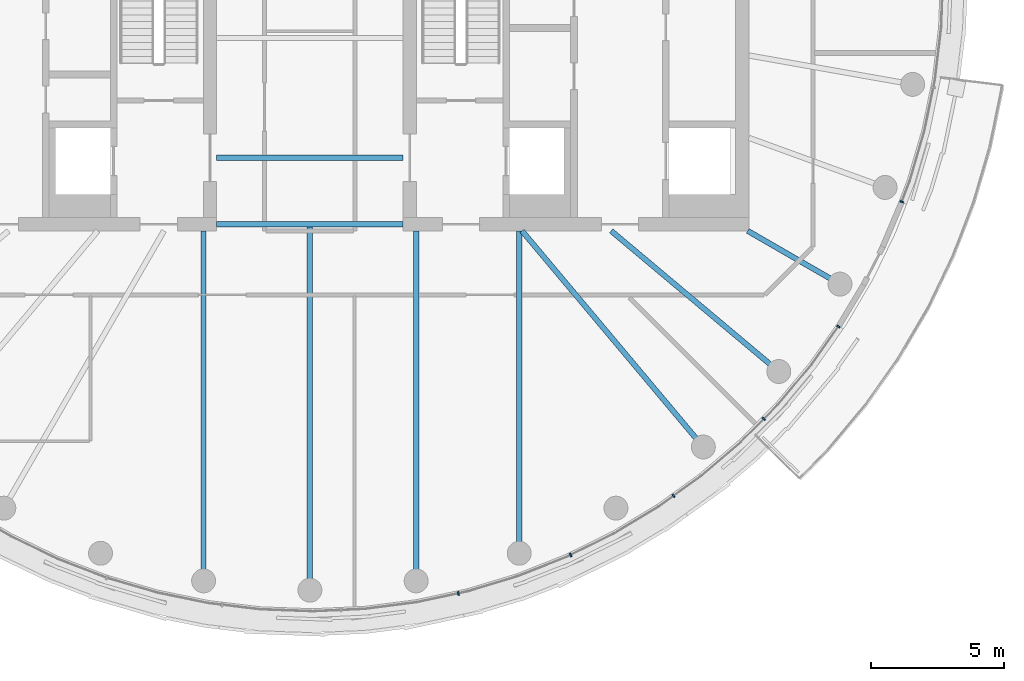
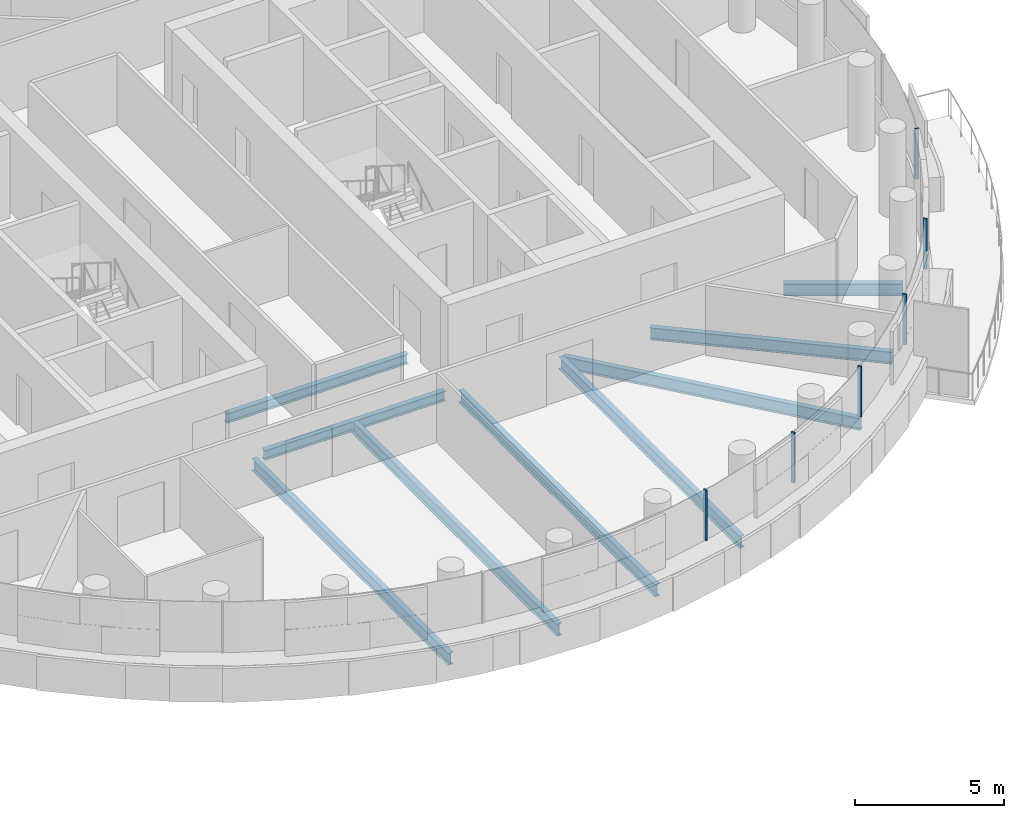
# One storey, part 7 of 27: 9 beams, 6 members, 1 element without a shape of its own.
"""IFC4 building model written with IfcOpenShell, lengths in metres."""

from ifc_helpers import new_model, si_unit, direction, frame, origin, origin_2d, place, context, subcontext, project, spatial, rectangle, i_section, extrude, material, layer, layer_set, material_profile, profile_set, type_object, element, aggregate, save


model = new_model("IFC4")

# Units and contexts
model_context = context("Model", 3, precision=1e-05, world=origin(), true_north=direction((0.0, 1.0)))
body_context = subcontext(model_context, "Body", "Model", "MODEL_VIEW")
ifc_project = project(units=[si_unit("LENGTHUNIT", "METRE"), si_unit("AREAUNIT", "SQUARE_METRE"), si_unit("VOLUMEUNIT", "CUBIC_METRE"), si_unit("PLANEANGLEUNIT", "RADIAN"), si_unit("MASSUNIT", "GRAM", prefix="KILO")], contexts=[model_context])

# Site, building, storey
site_placement = place(None, origin())
site = spatial("IfcSite", under=ifc_project, at=site_placement, CompositionType="ELEMENT")
building_placement = place(site_placement, origin())
building = spatial("IfcBuilding", under=site, at=building_placement, Name="Tamarind Cross Interchange Tower", CompositionType="ELEMENT")
storey_placement = place(building_placement, frame((0.0, 0.0, 237.89990234375)))
storey = spatial("IfcBuildingStorey", under=building, at=storey_placement, Name="L60", CompositionType="ELEMENT", Elevation=237.89990234375)

# Beams
ifc_material_1 = material(Name="Steel Q355B", Category="steel")
ifc_material_profile_1 = material_profile(ifc_material_1, i_section(OverallWidth=0.199951171875, OverallDepth=0.39990234375, WebThickness=0.008056640625, FlangeThickness=0.012939453125, FilletRadius=0.01611328125, at=origin_2d()), Name="HN 400x200x8x13")
ifc_profile_set_1 = profile_set([ifc_material_profile_1], Name="Steel Q355B")
beam_type_1 = type_object("IfcBeamType", Name="Composite beam HN 400x200x8x13 Q355B", PredefinedType="BEAM", material=ifc_profile_set_1)
for number, where, z_axis, x_axis, name in (
    (1, (-3.5, -6.75, -0.33984375), (1.0, 0.0, 0.0), (0.0, 1.0, 0.0), "Beam G-6.75"),
    (2, (-3.5, -9.25, -0.33984375), (1.0, 0.0, 0.0), (0.0, 1.0, 0.0), "Beam G-9.25"),
):
    element("IfcBeam", number, at=place(storey_placement, frame(where, z_axis=z_axis, x_axis=x_axis)), inside=storey, type_object=beam_type_1, Name=name, PredefinedType="BEAM", context=body_context, shape_type="SweptSolid", body=[
        extrude(i_section(OverallWidth=0.199951171875, OverallDepth=0.39990234375, WebThickness=0.008056640625, FlangeThickness=0.012939453125, FilletRadius=0.01611328125, at=origin_2d()), origin(), (0.0, 0.0, 1.0), 7.0),
    ])
ifc_material_profile_2 = material_profile(ifc_material_1, i_section(OverallWidth=0.198974609375, OverallDepth=0.49609375, WebThickness=0.009033203125, FlangeThickness=0.013916015625, FilletRadius=0.012939453125, at=origin_2d()), Name="HN 496x199x9x14")
ifc_profile_set_2 = profile_set([ifc_material_profile_2], Name="Steel Q355B")
beam_type_2 = type_object("IfcBeamType", Name="Composite beam HN 496x199x9x14 Q355B", PredefinedType="BEAM", material=ifc_profile_set_2)
beam_1_placement = place(storey_placement, frame((-3.993896484375, -22.650634765625, -0.387939453125), z_axis=(0.0, 1.0, 0.0), x_axis=(-1.0, 0.0, 0.0)))
element("IfcBeam", 3, at=beam_1_placement, inside=storey, type_object=beam_type_2, Name="Beam HH26", PredefinedType="BEAM", context=body_context, shape_type="SweptSolid", body=[
    extrude(i_section(OverallWidth=0.198974609375, OverallDepth=0.49609375, WebThickness=0.009033203125, FlangeThickness=0.013916015625, FilletRadius=0.012939453125, at=origin_2d()), origin(), (0.0, 0.0, 1.0), 13.150634765625),
])
beam_2_placement = place(storey_placement, frame((0.0, -23.0, -0.387939453125), z_axis=(0.0, 1.0, 0.0), x_axis=(-1.0, 0.0, 0.0)))
element("IfcBeam", 4, at=beam_2_placement, inside=storey, type_object=beam_type_2, Name="Beam HH27", PredefinedType="BEAM", context=body_context, shape_type="SweptSolid", body=[
    extrude(i_section(OverallWidth=0.198974609375, OverallDepth=0.49609375, WebThickness=0.009033203125, FlangeThickness=0.013916015625, FilletRadius=0.012939453125, at=origin_2d()), origin(), (0.0, 0.0, 1.0), 13.75),
])
beam_3_placement = place(storey_placement, frame((3.993896484375, -22.650634765625, -0.387939453125), z_axis=(0.0, 1.0, 0.0), x_axis=(-1.0, 0.0, 0.0)))
element("IfcBeam", 5, at=beam_3_placement, inside=storey, type_object=beam_type_2, Name="Beam HH28", PredefinedType="BEAM", context=body_context, shape_type="SweptSolid", body=[
    extrude(i_section(OverallWidth=0.198974609375, OverallDepth=0.49609375, WebThickness=0.009033203125, FlangeThickness=0.013916015625, FilletRadius=0.012939453125, at=origin_2d()), origin(), (0.0, 0.0, 1.0), 13.150634765625),
])
beam_4_placement = place(storey_placement, frame((7.866455078125, -21.613037109375, -0.387939453125), z_axis=(0.0, 1.0, 0.0), x_axis=(-1.0, 0.0, 0.0)))
element("IfcBeam", 6, at=beam_4_placement, inside=storey, type_object=beam_type_2, Name="Beam HH29", PredefinedType="BEAM", context=body_context, shape_type="SweptSolid", body=[
    extrude(i_section(OverallWidth=0.198974609375, OverallDepth=0.49609375, WebThickness=0.009033203125, FlangeThickness=0.013916015625, FilletRadius=0.012939453125, at=origin_2d()), origin(), (0.0, 0.0, 1.0), 12.113037109375),
])
beam_5_placement = place(storey_placement, frame((14.7841796875, -17.619140625, -0.387939453125), z_axis=(-0.642786293979, 0.766045547127, 0.0), x_axis=(-0.766045547127, -0.642786293979, 0.0)))
element("IfcBeam", 7, at=beam_5_placement, inside=storey, type_object=beam_type_2, Name="Beam HH31", PredefinedType="BEAM", context=body_context, shape_type="SweptSolid", body=[
    extrude(i_section(OverallWidth=0.198974609375, OverallDepth=0.49609375, WebThickness=0.009033203125, FlangeThickness=0.013916015625, FilletRadius=0.012939453125, at=origin_2d()), origin(), (0.0, 0.0, 1.0), 10.598876953125),
])
beam_6_placement = place(storey_placement, frame((17.619140625, -14.7841796875, -0.387939453125), z_axis=(-0.766040580814, 0.642792212574, 0.0), x_axis=(-0.642792212574, -0.766040580814, 0.0)))
element("IfcBeam", 8, at=beam_6_placement, inside=storey, type_object=beam_type_2, Name="Beam HH32", PredefinedType="BEAM", context=body_context, shape_type="SweptSolid", body=[
    extrude(i_section(OverallWidth=0.198974609375, OverallDepth=0.49609375, WebThickness=0.009033203125, FlangeThickness=0.013916015625, FilletRadius=0.012939453125, at=origin_2d()), origin(), (0.0, 0.0, 1.0), 8.220703125),
])
beam_7_placement = place(storey_placement, frame((19.918701171875, -11.5, -0.387939453125), z_axis=(-0.866026010844, 0.49999894854, 0.0), x_axis=(-0.49999894854, -0.866026010844, 0.0)))
element("IfcBeam", 9, at=beam_7_placement, inside=storey, type_object=beam_type_2, Name="Beam HH33", PredefinedType="BEAM", context=body_context, shape_type="SweptSolid", body=[
    extrude(i_section(OverallWidth=0.198974609375, OverallDepth=0.49609375, WebThickness=0.009033203125, FlangeThickness=0.013916015625, FilletRadius=0.012939453125, at=origin_2d()), origin(), (0.0, 0.0, 1.0), 4.0),
])

# Curtain wall, members
ifc_material_2 = material(Name="Aluminium 6063-T6", Category="aluminium")
ifc_layer = layer(ifc_material_2, 0.139892578125)
ifc_layer_set = layer_set([ifc_layer], Name="Aluminium 6063-T6")
curtain_wall_type = type_object("IfcCurtainWallType", Name="Hotel curtain wall, 4.5 m bays", PredefinedType="NOTDEFINED", material=ifc_layer_set)
curtain_wall_placement = place(storey_placement, origin())
curtain_wall = element("IfcCurtainWall", 10, at=curtain_wall_placement, inside=storey, type_object=curtain_wall_type, Name="CWS-L60-02", PredefinedType="NOTDEFINED")
ifc_material_profile_3 = material_profile(ifc_material_2, rectangle(XDim=0.06005859375, YDim=0.139892578125, at=origin_2d()), Name="Mullion CW2")
ifc_profile_set_3 = profile_set([ifc_material_profile_3], Name="Aluminium 6063-T6")
member_type = type_object("IfcMemberType", Name="Mullion CW2", PredefinedType="MULLION", material=ifc_profile_set_3)
member_1_placement = place(storey_placement, frame((5.578857421875, -23.119873046875, 1.400146484375), z_axis=(0.0, 0.0, 1.0), x_axis=(0.977824623121, 0.209425419705, 0.0)))
member_1 = element("IfcMember", 11, at=member_1_placement, type_object=member_type, Name="CWM-L60-02-07", PredefinedType="MULLION", context=body_context, shape_type="SweptSolid", body=[
    extrude(rectangle(XDim=0.06005859375, YDim=0.139892578125, at=origin_2d()), origin(), (0.0, 0.0, 1.0), 2.06005859375),
])
member_2_placement = place(storey_placement, frame((9.798583984375, -21.677978515625, 1.400146484375), z_axis=(0.0, 0.0, 1.0), x_axis=(0.896492548518, 0.443058811505, 0.0)))
member_2 = element("IfcMember", 12, at=member_2_placement, type_object=member_type, Name="CWM-L60-02-08", PredefinedType="MULLION", context=body_context, shape_type="SweptSolid", body=[
    extrude(rectangle(XDim=0.06005859375, YDim=0.139892578125, at=origin_2d()), origin(), (0.0, 0.0, 1.0), 2.06005859375),
])
member_3_placement = place(storey_placement, frame((13.666015625, -19.45751953125, 1.400146484375), z_axis=(0.0, 0.0, 1.0), x_axis=(0.811340475102, 0.584573890505, 0.0)))
member_3 = element("IfcMember", 13, at=member_3_placement, type_object=member_type, Name="CWM-L60-02-09", PredefinedType="MULLION", context=body_context, shape_type="SweptSolid", body=[
    extrude(rectangle(XDim=0.06005859375, YDim=0.139892578125, at=origin_2d()), origin(), (0.0, 0.0, 1.0), 2.06005859375),
])
member_4_placement = place(storey_placement, frame((17.05810546875, -16.563720703125, 1.400146484375), z_axis=(0.0, 0.0, 1.0), x_axis=(0.704057148523, 0.710143317658, 0.0)))
member_4 = element("IfcMember", 14, at=member_4_placement, type_object=member_type, Name="CWM-L60-02-10", PredefinedType="MULLION", context=body_context, shape_type="SweptSolid", body=[
    extrude(rectangle(XDim=0.06005859375, YDim=0.139892578125, at=origin_2d()), origin(), (0.0, 0.0, 1.0), 2.06005859375),
])
member_5_placement = place(storey_placement, frame((19.85986328125, -13.094482421875, 1.400146484375), z_axis=(0.0, 0.0, 1.0), x_axis=(0.577568978284, 0.816341886298, 0.0)))
member_5 = element("IfcMember", 15, at=member_5_placement, type_object=member_type, Name="CWM-L60-02-11", PredefinedType="MULLION", context=body_context, shape_type="SweptSolid", body=[
    extrude(rectangle(XDim=0.06005859375, YDim=0.139892578125, at=origin_2d()), origin(), (0.0, 0.0, 1.0), 2.06005859375),
])
member_6_placement = place(storey_placement, frame((22.24072265625, -8.4052734375, 1.400146484375), z_axis=(0.0, 0.0, 1.0), x_axis=(0.359495435512, 0.933146843667, 0.0)))
member_6 = element("IfcMember", 16, at=member_6_placement, type_object=member_type, Name="CWM-L60-02-12", PredefinedType="MULLION", context=body_context, shape_type="SweptSolid", body=[
    extrude(rectangle(XDim=0.06005859375, YDim=0.139892578125, at=origin_2d()), origin(), (0.0, 0.0, 1.0), 2.06005859375),
])
aggregate(curtain_wall, [member_1, member_2, member_3, member_4, member_5, member_6])

save(model, "model.ifc")
